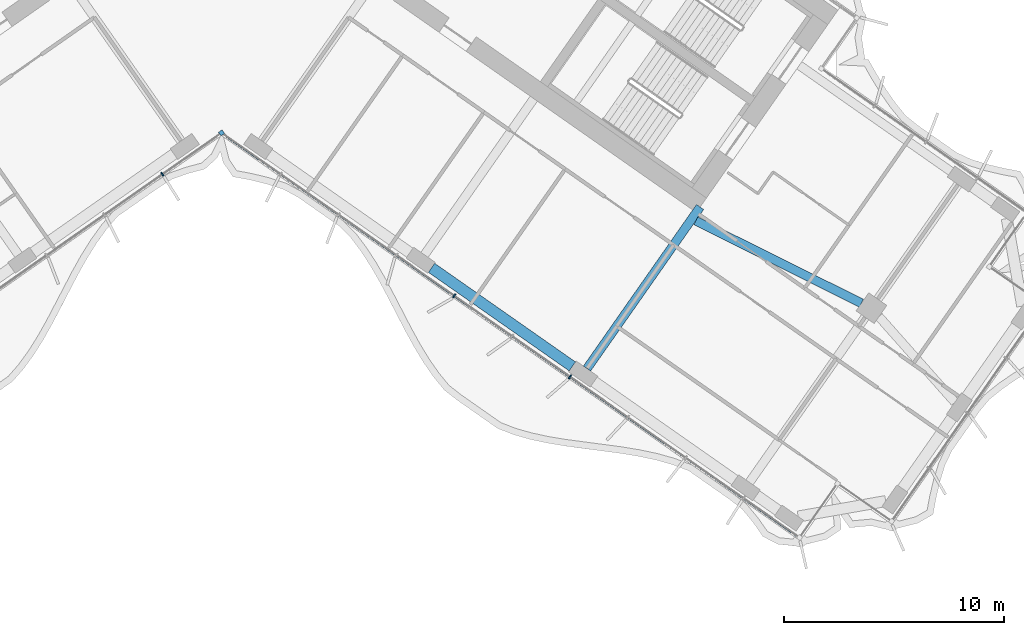
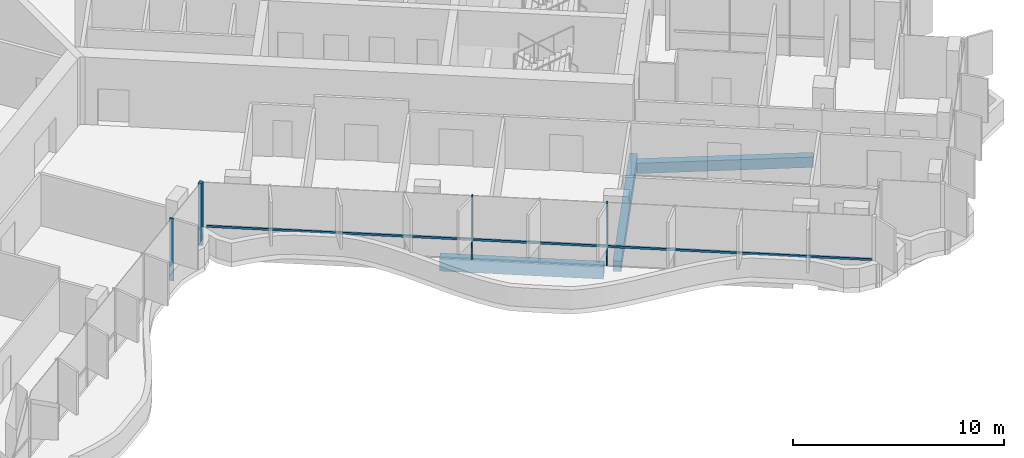
# One storey, part 6 of 24: 5 members, 3 beams, 1 element without a shape of its own.
"""IFC4 building model written with IfcOpenShell, lengths in metres."""

from ifc_helpers import new_model, si_unit, direction, frame, origin, origin_2d, place, context, subcontext, project, spatial, rectangle, extrude, material, material_profile, profile_set, type_object, element, aggregate, save


model = new_model("IFC4")

# Units and contexts
model_context = context("Model", 3, precision=1e-05, world=origin(), true_north=direction((0.0, 1.0)))
body_context = subcontext(model_context, "Body", "Model", "MODEL_VIEW")
ifc_project = project(units=[si_unit("LENGTHUNIT", "METRE"), si_unit("AREAUNIT", "SQUARE_METRE"), si_unit("VOLUMEUNIT", "CUBIC_METRE"), si_unit("PLANEANGLEUNIT", "RADIAN"), si_unit("MASSUNIT", "GRAM", prefix="KILO")], contexts=[model_context])

# Site, building, storey
site_placement = place(None, origin())
site = spatial("IfcSite", under=ifc_project, at=site_placement, CompositionType="ELEMENT")
building_placement = place(site_placement, origin())
building = spatial("IfcBuilding", under=site, at=building_placement, Name="Tel Ilan Convention Tower", CompositionType="ELEMENT")
storey_placement = place(building_placement, frame((0.0, 0.0, 167.10009765625)))
storey = spatial("IfcBuildingStorey", under=building, at=storey_placement, Name="L38", CompositionType="ELEMENT", Elevation=167.10009765625)

# Beams
ifc_material_1 = material(Name="Concrete C40/50", Category="concrete")
ifc_material_profile_1 = material_profile(ifc_material_1, rectangle(XDim=0.39990234375, YDim=0.60009765625, at=origin_2d()), Name="RC 400x600")
ifc_profile_set_1 = profile_set([ifc_material_profile_1], Name="Concrete C40/50")
beam_type_1 = type_object("IfcBeamType", Name="Beam RC 400x600 Concrete C40/50", PredefinedType="BEAM", material=ifc_profile_set_1)
beam_1_placement = place(storey_placement, frame((16.58203125, -23.391357421875, -0.580078125), z_axis=(0.573584999642, 0.819146048141, 0.0), x_axis=(-0.819146048141, 0.573584999642, 0.0)))
element("IfcBeam", 1, at=beam_1_placement, inside=storey, type_object=beam_type_1, Name="L38 beam E-E-F3-core", PredefinedType="BEAM", context=body_context, shape_type="SweptSolid", body=[
    extrude(rectangle(XDim=0.39990234375, YDim=0.60009765625, at=origin_2d()), origin(), (0.0, 0.0, 1.0), 8.949951171875),
])
beam_2_placement = place(storey_placement, frame((21.52099609375, -16.686279296875, -0.580078125), z_axis=(0.895402365524, -0.445257907076, 0.0), x_axis=(0.445257907076, 0.895402365524, 0.0)))
element("IfcBeam", 2, at=beam_2_placement, inside=storey, type_object=beam_type_1, Name="L38 beam E-core-E-M4", PredefinedType="BEAM", context=body_context, shape_type="SweptSolid", body=[
    extrude(rectangle(XDim=0.39990234375, YDim=0.60009765625, at=origin_2d()), origin(), (0.0, 0.0, 1.0), 8.3935546875),
])
ifc_material_2 = material(Name="Concrete C40/50", Category="concrete")
ifc_material_profile_2 = material_profile(ifc_material_2, rectangle(XDim=0.5, YDim=0.699951171875, at=origin_2d()), Name="RC 500x700")
ifc_profile_set_2 = profile_set([ifc_material_profile_2], Name="Concrete C40/50")
beam_type_2 = type_object("IfcBeamType", Name="Beam RC 500x700 Concrete C40/50", PredefinedType="BEAM", material=ifc_profile_set_2)
beam_3_placement = place(storey_placement, frame((9.529052734375, -18.819091796875, -0.630126953125), z_axis=(0.819153977895, -0.573573674866, 0.0), x_axis=(0.573573674866, 0.819153977895, 0.0)))
element("IfcBeam", 3, at=beam_3_placement, inside=storey, type_object=beam_type_2, Name="L38 beam E-E-F2-E-F3", PredefinedType="BEAM", context=body_context, shape_type="SweptSolid", body=[
    extrude(rectangle(XDim=0.5, YDim=0.699951171875, at=origin_2d()), origin(), (0.0, 0.0, 1.0), 7.800048828125),
])

# Curtain wall, members
ifc_material_3 = material(Name="Aluminium, bronze anodised", Category="aluminium")
curtain_wall_type = type_object("IfcCurtainWallType", Name="CW4 STICK CURTAIN WALL, OFFICE TINTED GLASS", PredefinedType="NOTDEFINED", material=ifc_material_3)
curtain_wall_placement = place(storey_placement, origin())
curtain_wall = element("IfcCurtainWall", 4, at=curtain_wall_placement, inside=storey, type_object=curtain_wall_type, Name="Curtain wall CW4-30.04", PredefinedType="NOTDEFINED")
ifc_material_4 = material(Name="Aluminium, bronze anodised", Category="aluminium")
ifc_material_profile_3 = material_profile(ifc_material_4, rectangle(XDim=0.199951171875, YDim=0.199951171875, at=origin_2d()), Name="CW CORNER MULLION 200x200")
ifc_profile_set_3 = profile_set([ifc_material_profile_3], Name="Aluminium, bronze anodised")
member_type_1 = type_object("IfcMemberType", Name="CW CORNER MULLION 200x200", PredefinedType="MULLION", material=ifc_profile_set_3)
member_1_placement = place(storey_placement, frame((0.0, -12.696044921875, 0.0), z_axis=(0.0, 0.0, 1.0), x_axis=(0.819152044289, 0.573576436351, 0.0)))
member_1 = element("IfcMember", 5, at=member_1_placement, type_object=member_type_1, Name="Corner mullion", PredefinedType="MULLION", context=body_context, shape_type="SweptSolid", body=[
    extrude(rectangle(XDim=0.199951171875, YDim=0.199951171875, at=origin_2d()), origin(), (0.0, 0.0, 1.0), 3.619873046875),
])
ifc_material_5 = material(Name="Aluminium, bronze anodised", Category="aluminium")
ifc_material_profile_4 = material_profile(ifc_material_5, rectangle(XDim=0.06005859375, YDim=0.199951171875, at=origin_2d()), Name="CW MULLION 60x200")
ifc_profile_set_4 = profile_set([ifc_material_profile_4], Name="Aluminium, bronze anodised")
member_type_2 = type_object("IfcMemberType", Name="CW MULLION 60x200", PredefinedType="MULLION", material=ifc_profile_set_4)
member_2_placement = place(storey_placement, frame((-2.6826171875, -14.574462890625, 0.0), z_axis=(0.0, 0.0, 1.0), x_axis=(0.819152044289, 0.573576436351, 0.0)))
member_2 = element("IfcMember", 6, at=member_2_placement, type_object=member_type_2, Name="Mullion", PredefinedType="MULLION", context=body_context, shape_type="SweptSolid", body=[
    extrude(rectangle(XDim=0.06005859375, YDim=0.199951171875, at=origin_2d()), origin(), (0.0, 0.0, 1.0), 3.619873046875),
])
member_3_placement = place(storey_placement, frame((10.55810546875, -20.0888671875, 0.0), z_axis=(0.0, 0.0, 1.0), x_axis=(0.819152044289, -0.573576436351, 0.0)))
member_3 = element("IfcMember", 7, at=member_3_placement, type_object=member_type_2, Name="Mullion", PredefinedType="MULLION", context=body_context, shape_type="SweptSolid", body=[
    extrude(rectangle(XDim=0.06005859375, YDim=0.199951171875, at=origin_2d()), origin(), (0.0, 0.0, 1.0), 3.619873046875),
])
member_4_placement = place(storey_placement, frame((15.80859375, -23.765380859375, 0.0), z_axis=(0.0, 0.0, 1.0), x_axis=(0.819152044289, -0.573576436351, 0.0)))
member_4 = element("IfcMember", 8, at=member_4_placement, type_object=member_type_2, Name="Mullion", PredefinedType="MULLION", context=body_context, shape_type="SweptSolid", body=[
    extrude(rectangle(XDim=0.06005859375, YDim=0.199951171875, at=origin_2d()), origin(), (0.0, 0.0, 1.0), 3.619873046875),
])
ifc_material_6 = material(Name="Aluminium, bronze anodised", Category="aluminium")
ifc_material_profile_5 = material_profile(ifc_material_6, rectangle(XDim=0.10009765625, YDim=0.1201171875, at=origin_2d()), Name="CW TRANSOM 100x120")
ifc_profile_set_5 = profile_set([ifc_material_profile_5], Name="Aluminium, bronze anodised")
member_type_3 = type_object("IfcMemberType", Name="CW TRANSOM 100x120", PredefinedType="USERDEFINED", material=ifc_profile_set_5)
member_5_placement = place(storey_placement, frame((0.22119140625, -12.850830078125, 1.099853515625), z_axis=(0.819149281128, -0.573580382534, 0.0), x_axis=(0.573580382534, 0.819149281128, 0.0)))
member_5 = element("IfcMember", 9, at=member_5_placement, type_object=member_type_3, Name="Transom", ObjectType="TRANSOM", PredefinedType="USERDEFINED", context=body_context, shape_type="SweptSolid", body=[
    extrude(rectangle(XDim=0.10009765625, YDim=0.1201171875, at=origin_2d()), origin(), (0.0, 0.0, 1.0), 31.64794921875),
])
aggregate(curtain_wall, [member_2, member_1, member_3, member_4, member_5])

save(model, "model.ifc")
